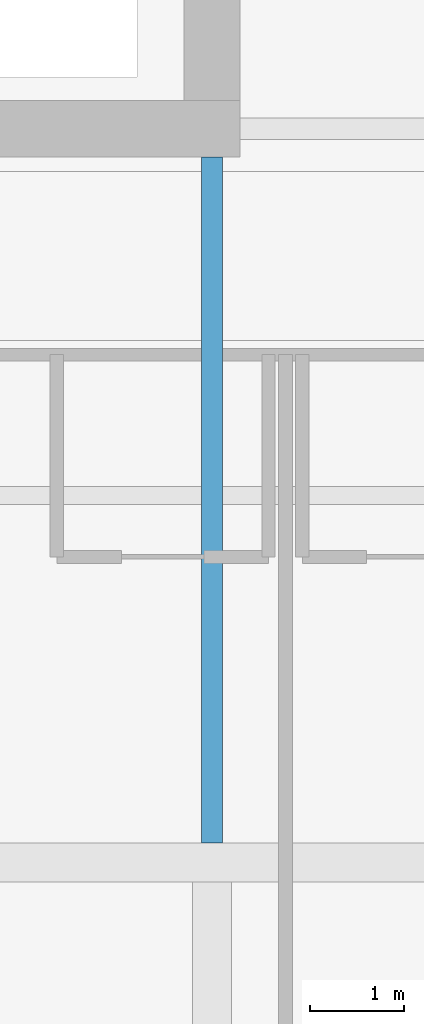
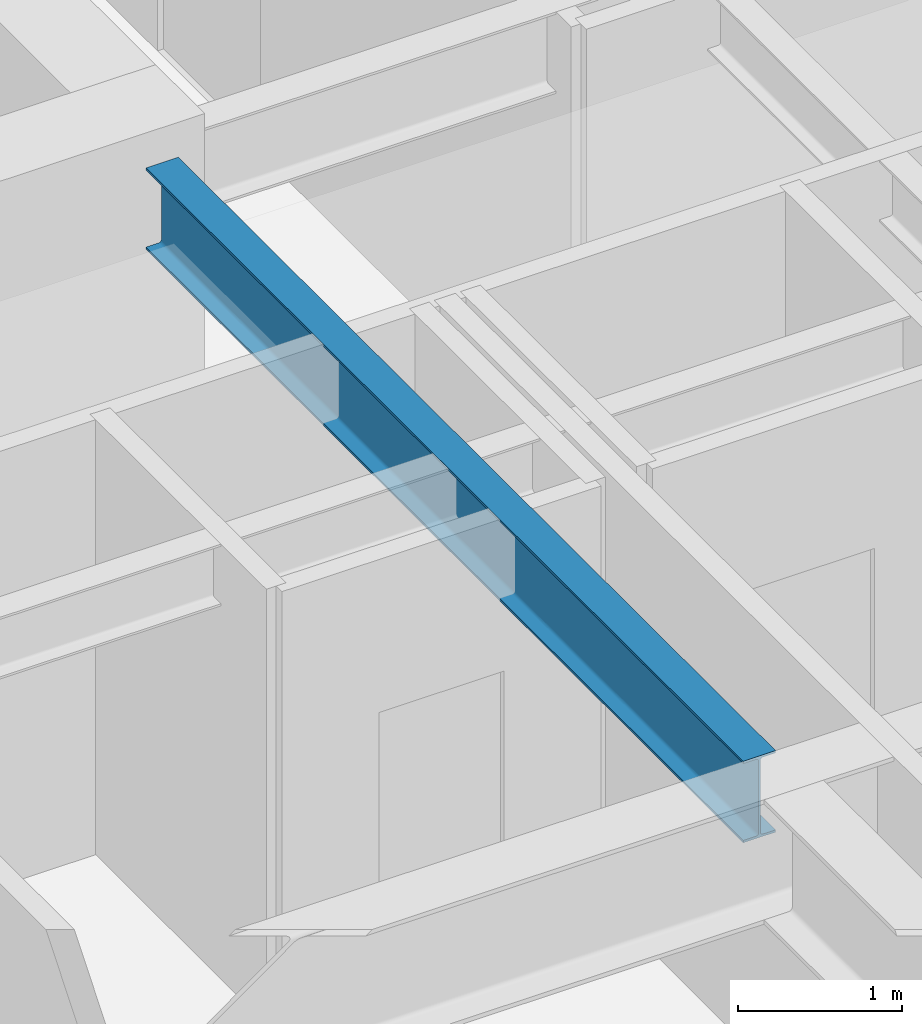
# One storey, part 12 of 39: 1 beam.
"""IFC4 building model written with IfcOpenShell, lengths in metres."""

from ifc_helpers import new_model, si_unit, direction, frame, origin, origin_2d, place, context, subcontext, project, spatial, i_section, extrude, material, material_profile, profile_set, type_object, element, save


model = new_model("IFC4")

# Units and contexts
model_context = context("Model", 3, precision=1e-05, world=origin(), true_north=direction((0.0, 1.0)))
body_context = subcontext(model_context, "Body", "Model", "MODEL_VIEW")
ifc_project = project(units=[si_unit("LENGTHUNIT", "METRE"), si_unit("AREAUNIT", "SQUARE_METRE"), si_unit("VOLUMEUNIT", "CUBIC_METRE"), si_unit("PLANEANGLEUNIT", "RADIAN"), si_unit("MASSUNIT", "GRAM", prefix="KILO")], contexts=[model_context])

# Site, building, storey
site_placement = place(None, origin())
site = spatial("IfcSite", under=ifc_project, at=site_placement, CompositionType="ELEMENT")
building_placement = place(site_placement, origin())
building = spatial("IfcBuilding", under=site, at=building_placement, Name="Drelvath Grand Hotel", CompositionType="ELEMENT")
storey_placement = place(building_placement, frame((0.0, 0.0, 54.199951171875)))
storey = spatial("IfcBuildingStorey", under=building, at=storey_placement, Name="L12", CompositionType="ELEMENT", Elevation=54.199951171875)

# Beam
ifc_material = material(Name="Steel ASTM A992 Gr 50", Category="steel")
ifc_material_profile = material_profile(ifc_material, i_section(OverallWidth=0.228271484375, OverallDepth=0.607666015625, WebThickness=0.01123046875, FlangeThickness=0.017333984375, FilletRadius=0.02001953125, at=origin_2d()), Name="W24X76")
ifc_profile_set = profile_set([ifc_material_profile], Name="Steel ASTM A992 Gr 50")
beam_type = type_object("IfcBeamType", Name="Primary Floor Girder W24X76", PredefinedType="BEAM", material=ifc_profile_set)
beam_placement = place(storey_placement, frame((8.39990234375, 11.00927734375, 2.936279296875), z_axis=(0.0, 1.0, 0.0), x_axis=(-1.0, 0.0, 0.0)))
element("IfcBeam", 1, at=beam_placement, inside=storey, type_object=beam_type, Name="L12 South Core Tie 6", PredefinedType="BEAM", context=body_context, shape_type="SweptSolid", body=[
    extrude(i_section(OverallWidth=0.228271484375, OverallDepth=0.607666015625, WebThickness=0.01123046875, FlangeThickness=0.017333984375, FilletRadius=0.02001953125, at=origin_2d()), origin(), (0.0, 0.0, 1.0), 7.290771484375),
])

save(model, "model.ifc")
